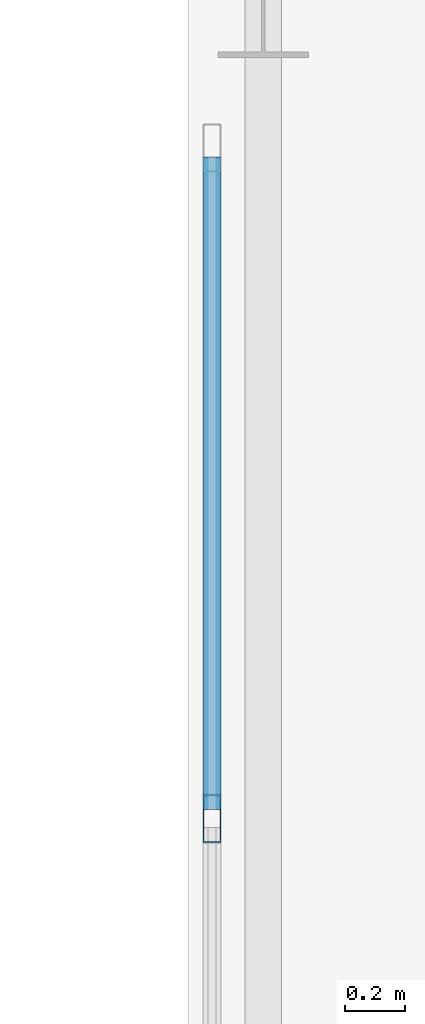
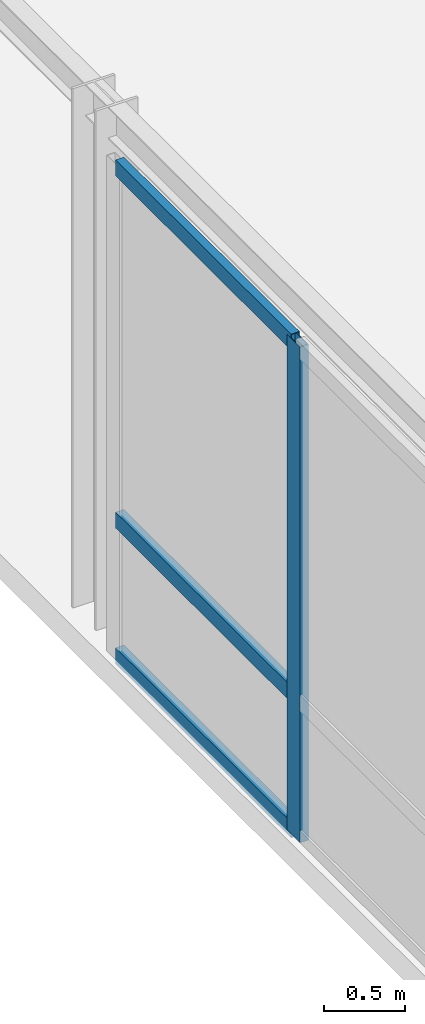
# One storey, part 87 of 189: 4 members, 1 element without a shape of its own.
"""IFC4 building model written with IfcOpenShell, lengths in metres."""

from ifc_helpers import new_model, si_unit, direction, frame, origin, origin_2d, place, context, subcontext, project, spatial, hollow_rectangle, extrude, material, layer, layer_set, material_profile, profile_set, type_object, element, aggregate, save


model = new_model("IFC4")

# Units and contexts
model_context = context("Model", 3, precision=1e-05, world=origin(), true_north=direction((0.0, 1.0)))
body_context = subcontext(model_context, "Body", "Model", "MODEL_VIEW")
ifc_project = project(units=[si_unit("LENGTHUNIT", "METRE"), si_unit("AREAUNIT", "SQUARE_METRE"), si_unit("VOLUMEUNIT", "CUBIC_METRE"), si_unit("PLANEANGLEUNIT", "RADIAN"), si_unit("MASSUNIT", "GRAM", prefix="KILO")], contexts=[model_context])

# Site, building, storey
site_placement = place(None, origin())
site = spatial("IfcSite", under=ifc_project, at=site_placement, CompositionType="ELEMENT")
building_placement = place(site_placement, origin())
building = spatial("IfcBuilding", under=site, at=building_placement, Name="Montecoro Central Library", CompositionType="ELEMENT")
storey_placement = place(building_placement, frame((0.0, 0.0, 9.179931640625)))
storey = spatial("IfcBuildingStorey", under=building, at=storey_placement, Name="L02", CompositionType="ELEMENT", Elevation=9.179931640625)

# Curtain wall, members
ifc_material_1 = material(Name="Bronze-anodised aluminium and low-E glazing", Category="aluminium")
ifc_layer = layer(ifc_material_1, 0.159912109375)
ifc_layer_set = layer_set([ifc_layer], Name="Bronze-anodised aluminium and low-E glazing")
curtain_wall_type = type_object("IfcCurtainWallType", Name="CWT-078", PredefinedType="NOTDEFINED", material=ifc_layer_set)
curtain_wall_placement = place(storey_placement, origin())
curtain_wall = element("IfcCurtainWall", 1, at=curtain_wall_placement, inside=storey, type_object=curtain_wall_type, Name="BR-N-L02-CW-W2", PredefinedType="NOTDEFINED")
ifc_material_2 = material(Name="Bronze-anodised aluminium", Category="aluminium")
ifc_material_profile_1 = material_profile(ifc_material_2, hollow_rectangle(XDim=0.06005859375, YDim=0.159912109375, WallThickness=0.00390625, at=origin_2d()), Name="CWM 160x60x4.0")
ifc_profile_set_1 = profile_set([ifc_material_profile_1], Name="Bronze-anodised aluminium")
member_type_1 = type_object("IfcMemberType", Name="CWM-BRZ-60", PredefinedType="MULLION", material=ifc_profile_set_1)
member_1_placement = place(storey_placement, frame((88.679931640625, 70.7265625, 0.0), z_axis=(0.0, 0.0, 1.0), x_axis=(-1.0, 0.0, 0.0)))
member_1 = element("IfcMember", 2, at=member_1_placement, type_object=member_type_1, Name="CW-078 mullion 3", PredefinedType="MULLION", context=body_context, shape_type="SweptSolid", body=[
    extrude(hollow_rectangle(XDim=0.06005859375, YDim=0.159912109375, WallThickness=0.00390625, at=origin_2d()), origin(), (0.0, 0.0, 1.0), 3.72998046875),
])
ifc_material_profile_2 = material_profile(ifc_material_2, hollow_rectangle(XDim=0.06005859375, YDim=0.1201171875, WallThickness=0.00390625, at=origin_2d()), Name="CWT 120x60x4.0")
ifc_profile_set_2 = profile_set([ifc_material_profile_2], Name="Bronze-anodised aluminium")
member_type_2 = type_object("IfcMemberType", Name="CWT-BRZ-60", PredefinedType="USERDEFINED", material=ifc_profile_set_2)
member_2_placement = place(storey_placement, frame((88.679931640625, 70.756591796875, 0.030029296875), z_axis=(0.0, 1.0, 0.0), x_axis=(-1.0, 0.0, 0.0)))
member_2 = element("IfcMember", 3, at=member_2_placement, type_object=member_type_2, Name="CW-078 transom 3.1", ObjectType="TRANSOM", PredefinedType="USERDEFINED", context=body_context, shape_type="SweptSolid", body=[
    extrude(hollow_rectangle(XDim=0.06005859375, YDim=0.1201171875, WallThickness=0.00390625, at=origin_2d()), origin(), (0.0, 0.0, 1.0), 2.163330078125),
])
member_3_placement = place(storey_placement, frame((88.679931640625, 70.756591796875, 1.050048828125), z_axis=(0.0, 1.0, 0.0), x_axis=(-1.0, 0.0, 0.0)))
member_3 = element("IfcMember", 4, at=member_3_placement, type_object=member_type_2, Name="CW-078 transom 3.2", ObjectType="TRANSOM", PredefinedType="USERDEFINED", context=body_context, shape_type="SweptSolid", body=[
    extrude(hollow_rectangle(XDim=0.06005859375, YDim=0.1201171875, WallThickness=0.00390625, at=origin_2d()), origin(), (0.0, 0.0, 1.0), 2.163330078125),
])
member_4_placement = place(storey_placement, frame((88.679931640625, 70.756591796875, 3.699951171875), z_axis=(0.0, 1.0, 0.0), x_axis=(-1.0, 0.0, 0.0)))
member_4 = element("IfcMember", 5, at=member_4_placement, type_object=member_type_2, Name="CW-078 transom 3.3", ObjectType="TRANSOM", PredefinedType="USERDEFINED", context=body_context, shape_type="SweptSolid", body=[
    extrude(hollow_rectangle(XDim=0.06005859375, YDim=0.1201171875, WallThickness=0.00390625, at=origin_2d()), origin(), (0.0, 0.0, 1.0), 2.163330078125),
])
aggregate(curtain_wall, [member_1, member_2, member_3, member_4])

save(model, "model.ifc")
